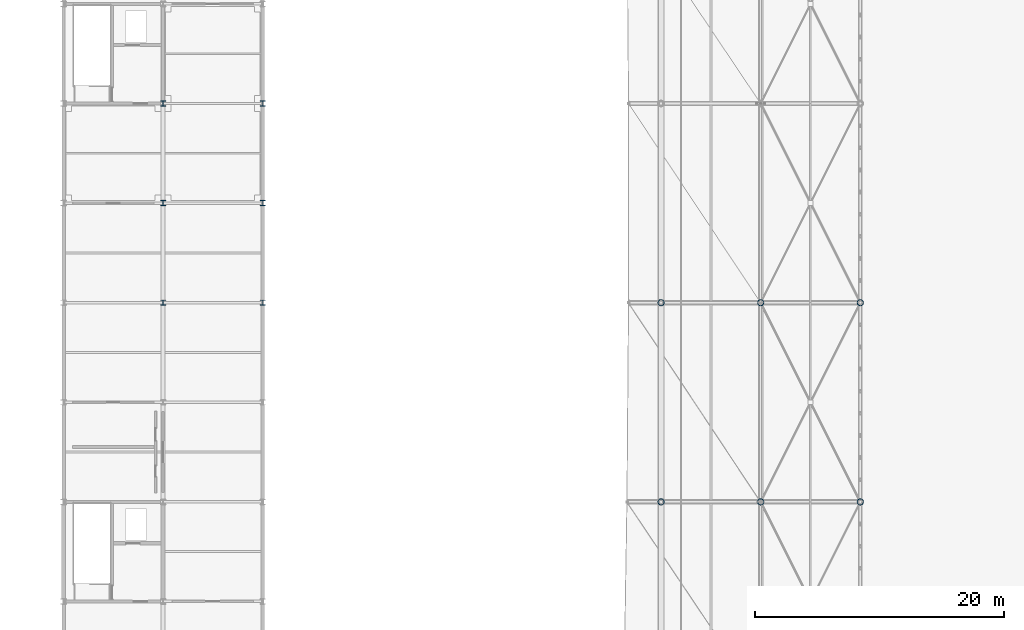
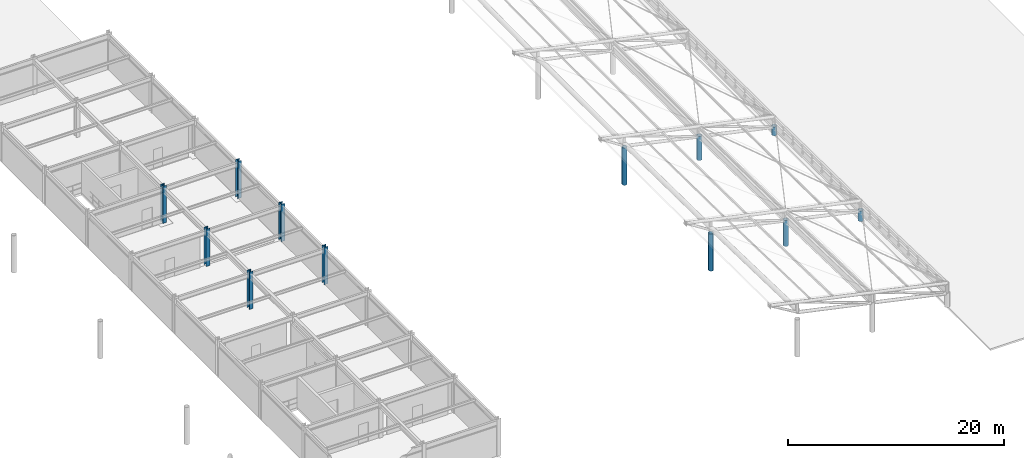
# One storey, part 9 of 54: 12 columns.
"""IFC4 building model written with IfcOpenShell, lengths in metres."""

from ifc_helpers import new_model, si_unit, direction, frame, origin, origin_2d, place, context, subcontext, project, spatial, hollow_circle, i_section, extrude, material, material_profile, profile_set, type_object, element, save


model = new_model("IFC4")

# Units and contexts
model_context = context("Model", 3, precision=1e-05, world=origin(), true_north=direction((0.0, 1.0)))
body_context = subcontext(model_context, "Body", "Model", "MODEL_VIEW")
ifc_project = project(units=[si_unit("LENGTHUNIT", "METRE"), si_unit("AREAUNIT", "SQUARE_METRE"), si_unit("VOLUMEUNIT", "CUBIC_METRE"), si_unit("PLANEANGLEUNIT", "RADIAN"), si_unit("MASSUNIT", "GRAM", prefix="KILO")], contexts=[model_context])

# Site, building, storey
site_placement = place(None, origin())
site = spatial("IfcSite", under=ifc_project, at=site_placement, CompositionType="ELEMENT")
building_placement = place(site_placement, origin())
building = spatial("IfcBuilding", under=site, at=building_placement, Name="Haebicheon Civic Stadium", CompositionType="ELEMENT")
storey_placement = place(building_placement, frame((0.0, 0.0, 22.800048828125)))
storey = spatial("IfcBuildingStorey", under=building, at=storey_placement, Name="L06", CompositionType="ELEMENT", Elevation=22.800048828125)

# Columns
ifc_material_1 = material(Name="White painted steel SM490", Category="steel")
ifc_material_profile_1 = material_profile(ifc_material_1, hollow_circle(Radius=0.25390625, WallThickness=0.02490234375, at=origin_2d()), Name="CHS-508.0x25.0")
ifc_profile_set_1 = profile_set([ifc_material_profile_1], Name="White painted steel SM490")
column_type_1 = type_object("IfcColumnType", Name="COL-ST-CHS508", PredefinedType="COLUMN", material=ifc_profile_set_1)
column_1_placement = place(storey_placement, frame((208.0, 72.0, 0.0), z_axis=(0.0, 0.0, 1.0), x_axis=(1.0, 0.0, 0.0)))
element("IfcColumn", 1, at=column_1_placement, inside=storey, type_object=column_type_1, material=ifc_profile_set_1, Name="Bowl/canopy support column 208/72 (L06)", PredefinedType="COLUMN", context=body_context, shape_type="SweptSolid", body=[
    extrude(hollow_circle(Radius=0.25390625, WallThickness=0.02490234375, at=origin_2d()), origin(), (0.0, 0.0, 1.0), 1.18994140625),
])
column_2_placement = place(storey_placement, frame((200.0, 72.0, 0.0), z_axis=(0.0, 0.0, 1.0), x_axis=(1.0, 0.0, 0.0)))
element("IfcColumn", 2, at=column_2_placement, inside=storey, type_object=column_type_1, material=ifc_profile_set_1, Name="Bowl/canopy support column 200/72 (L06)", PredefinedType="COLUMN", context=body_context, shape_type="SweptSolid", body=[
    extrude(hollow_circle(Radius=0.25390625, WallThickness=0.02490234375, at=origin_2d()), origin(), (0.0, 0.0, 1.0), 2.909912109375),
])
column_3_placement = place(storey_placement, frame((192.0, 72.0, 0.0), z_axis=(0.0, 0.0, 1.0), x_axis=(1.0, 0.0, 0.0)))
element("IfcColumn", 3, at=column_3_placement, inside=storey, type_object=column_type_1, material=ifc_profile_set_1, Name="Bowl/canopy support column 192/72 (L06)", PredefinedType="COLUMN", context=body_context, shape_type="SweptSolid", body=[
    extrude(hollow_circle(Radius=0.25390625, WallThickness=0.02490234375, at=origin_2d()), origin(), (0.0, 0.0, 1.0), 4.199951171875),
])
column_4_placement = place(storey_placement, frame((208.0, 88.0, 0.0), z_axis=(0.0, 0.0, 1.0), x_axis=(1.0, 0.0, 0.0)))
element("IfcColumn", 4, at=column_4_placement, inside=storey, type_object=column_type_1, material=ifc_profile_set_1, Name="Bowl/canopy support column 208/88 (L06)", PredefinedType="COLUMN", context=body_context, shape_type="SweptSolid", body=[
    extrude(hollow_circle(Radius=0.25390625, WallThickness=0.02490234375, at=origin_2d()), origin(), (0.0, 0.0, 1.0), 0.97802734375),
])
column_5_placement = place(storey_placement, frame((200.0, 88.0, 0.0), z_axis=(0.0, 0.0, 1.0), x_axis=(1.0, 0.0, 0.0)))
element("IfcColumn", 5, at=column_5_placement, inside=storey, type_object=column_type_1, material=ifc_profile_set_1, Name="Bowl/canopy support column 200/88 (L06)", PredefinedType="COLUMN", context=body_context, shape_type="SweptSolid", body=[
    extrude(hollow_circle(Radius=0.25390625, WallThickness=0.02490234375, at=origin_2d()), origin(), (0.0, 0.0, 1.0), 2.697998046875),
])
column_6_placement = place(storey_placement, frame((192.0, 88.0, 0.0), z_axis=(0.0, 0.0, 1.0), x_axis=(1.0, 0.0, 0.0)))
element("IfcColumn", 6, at=column_6_placement, inside=storey, type_object=column_type_1, material=ifc_profile_set_1, Name="Bowl/canopy support column 192/88 (L06)", PredefinedType="COLUMN", context=body_context, shape_type="SweptSolid", body=[
    extrude(hollow_circle(Radius=0.25390625, WallThickness=0.02490234375, at=origin_2d()), origin(), (0.0, 0.0, 1.0), 4.199951171875),
])
ifc_material_2 = material(Name="Steel SM490", Category="steel")
ifc_material_profile_2 = material_profile(ifc_material_2, i_section(OverallWidth=0.406982421875, OverallDepth=0.427978515625, WebThickness=0.02001953125, FlangeThickness=0.034912109375, at=origin_2d()), Name="H-428x407x20x35")
ifc_profile_set_2 = profile_set([ifc_material_profile_2], Name="Steel SM490")
column_type_2 = type_object("IfcColumnType", Name="COL-ST-H428", PredefinedType="COLUMN", material=ifc_profile_set_2)
for number, where, z_axis, x_axis, name in (
    (7, (152.0, 88.0, 0.0), (0.0, 0.0, 1.0), (1.0, 0.0, 0.0), "L06 column 20/M"),
    (8, (152.0, 96.0, 0.0), (0.0, 0.0, 1.0), (1.0, 0.0, 0.0), "L06 column 20/N"),
    (9, (152.0, 104.0, 0.0), (0.0, 0.0, 1.0), (1.0, 0.0, 0.0), "L06 column 20/P"),
    (10, (160.0, 88.0, 0.0), (0.0, 0.0, 1.0), (1.0, 0.0, 0.0), "L06 column 21/M"),
    (11, (160.0, 96.0, 0.0), (0.0, 0.0, 1.0), (1.0, 0.0, 0.0), "L06 column 21/N"),
    (12, (160.0, 104.0, 0.0), (0.0, 0.0, 1.0), (1.0, 0.0, 0.0), "L06 column 21/P"),
):
    element("IfcColumn", number, at=place(storey_placement, frame(where, z_axis=z_axis, x_axis=x_axis)), inside=storey, type_object=column_type_2, material=ifc_profile_set_2, Name=name, PredefinedType="COLUMN", context=body_context, shape_type="SweptSolid", body=[
        extrude(i_section(OverallWidth=0.406982421875, OverallDepth=0.427978515625, WebThickness=0.02001953125, FlangeThickness=0.034912109375, at=origin_2d()), origin(), (0.0, 0.0, 1.0), 4.199951171875),
    ])

save(model, "model.ifc")
